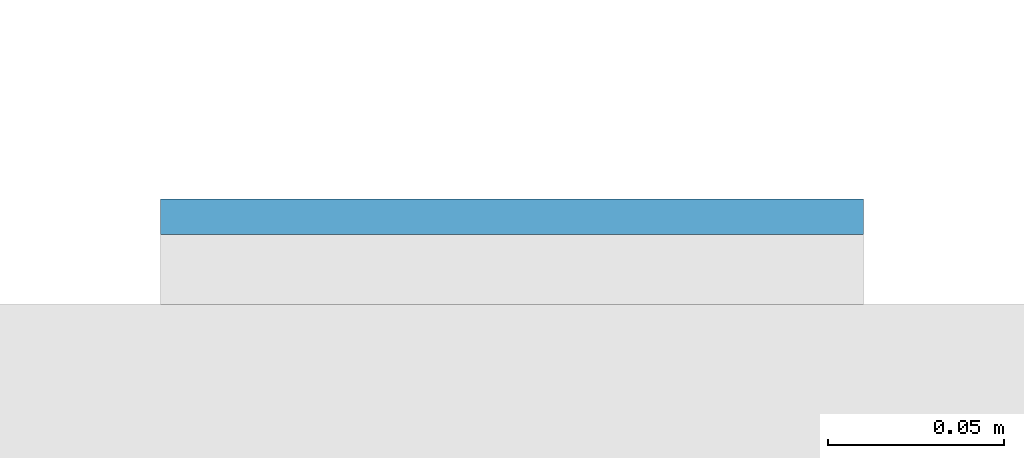
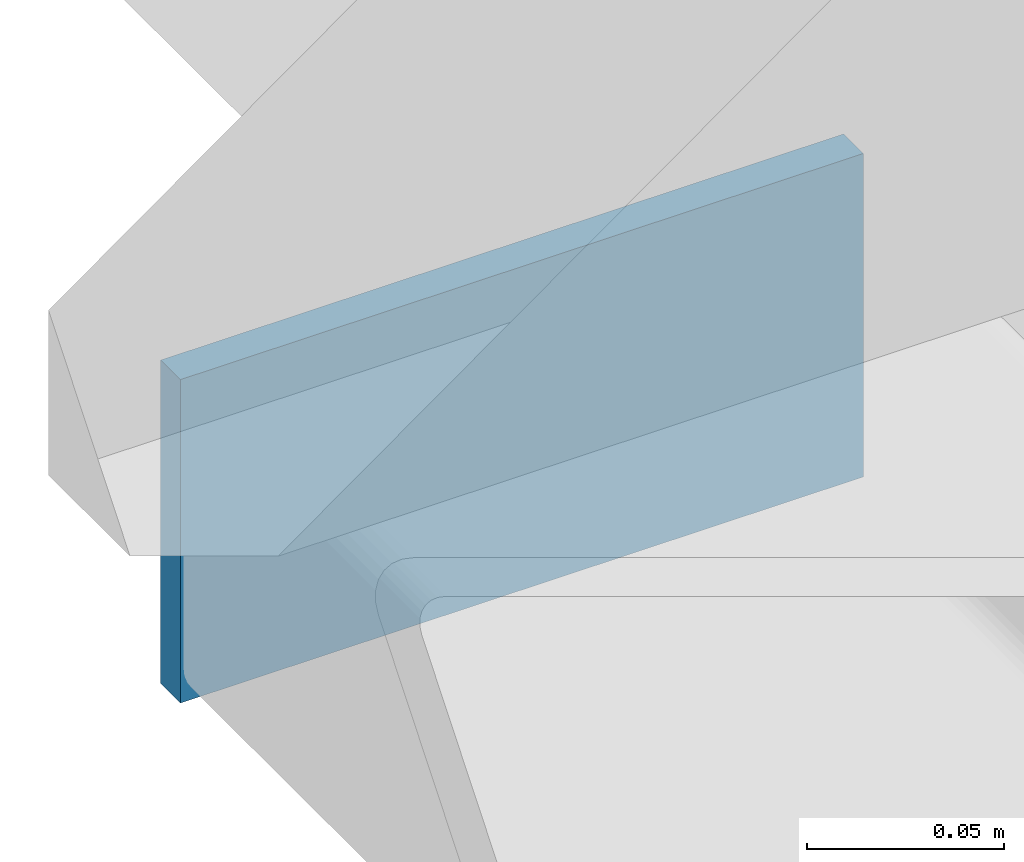
# One storey, part 9 of 20: 1 plate.
"""IFC4 building model written with IfcOpenShell, lengths in metres."""

from ifc_helpers import new_model, si_unit, direction, frame, origin, origin_2d, place, context, subcontext, project, spatial, rectangle, extrude, material, layer, layer_set, type_object, element, save


model = new_model("IFC4")

# Units and contexts
model_context = context("Model", 3, precision=1e-05, world=origin(), true_north=direction((0.0, 1.0)))
body_context = subcontext(model_context, "Body", "Model", "MODEL_VIEW")
ifc_project = project(units=[si_unit("LENGTHUNIT", "METRE"), si_unit("AREAUNIT", "SQUARE_METRE"), si_unit("VOLUMEUNIT", "CUBIC_METRE"), si_unit("PLANEANGLEUNIT", "RADIAN"), si_unit("MASSUNIT", "GRAM", prefix="KILO")], contexts=[model_context])

# Site, building, storey
site_placement = place(None, origin())
site = spatial("IfcSite", under=ifc_project, at=site_placement, CompositionType="ELEMENT")
building_placement = place(site_placement, origin())
building = spatial("IfcBuilding", under=site, at=building_placement, Name="Cleftline Residences", CompositionType="ELEMENT")
storey_placement = place(building_placement, frame((0.0, 0.0, 62.0)))
storey = spatial("IfcBuildingStorey", under=building, at=storey_placement, Name="L15", CompositionType="ELEMENT", Elevation=62.0)

# Plate
ifc_material = material(Name="Steel S355, hot-dip galvanised", Category="steel")
ifc_layer = layer(ifc_material, 0.010009765625)
ifc_layer_set = layer_set([ifc_layer], Name="BAGUETTE CARRIER END PLATE 200X100X10")
plate_type = type_object("IfcPlateType", Name="BAGUETTE CARRIER END PLATE 200X100X10", PredefinedType="USERDEFINED", material=ifc_layer_set)
plate_placement = place(storey_placement, frame((-0.85009765625, 44.304931640625, -0.10009765625), z_axis=(0.0, 0.0, 1.0), x_axis=(-1.0, 0.0, 0.0)))
element("IfcPlate", 1, at=plate_placement, inside=storey, type_object=plate_type, Name="Baguette carrier end plate", ObjectType="BAGUETTE CARRIER END PLATE", PredefinedType="USERDEFINED", context=body_context, shape_type="SweptSolid", body=[
    extrude(rectangle(XDim=0.199951171875, YDim=0.010009765625, at=origin_2d()), origin(), (0.0, 0.0, 1.0), 0.10009765625),
])

save(model, "model.ifc")
